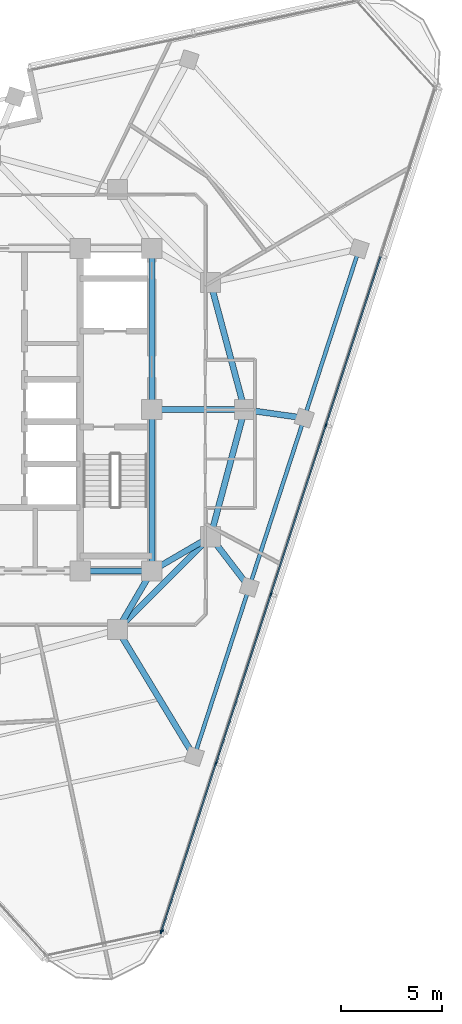
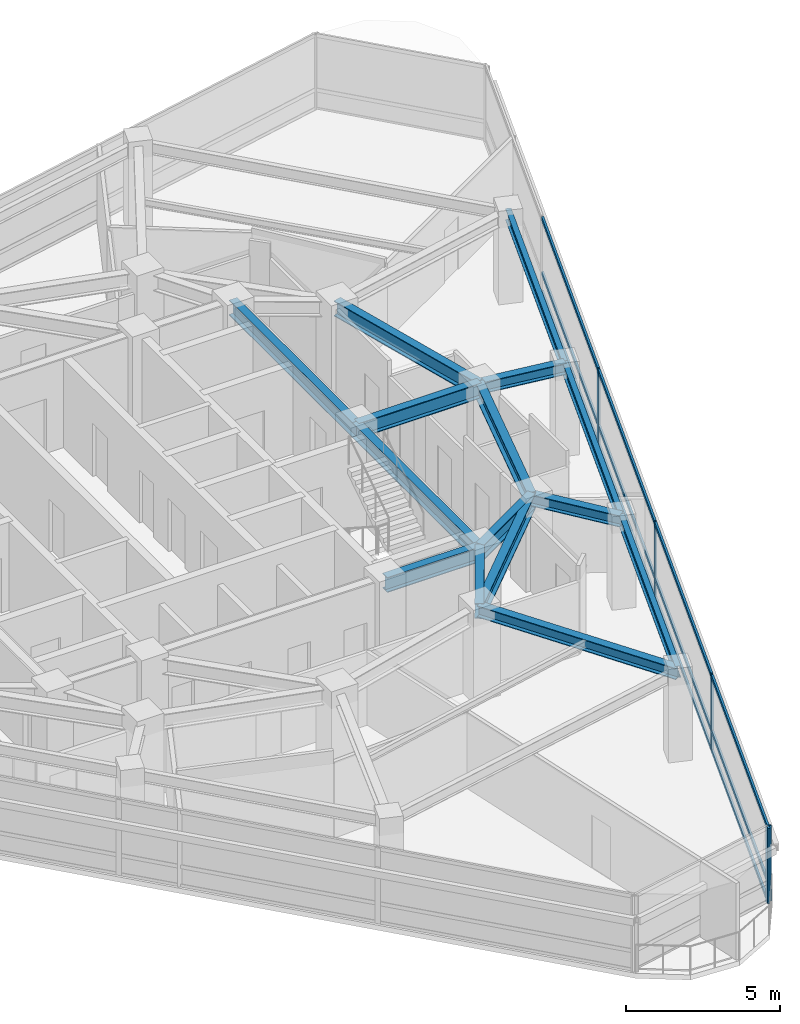
# One storey, part 4 of 15: 17 members, 15 beams, 2 elements without a shape of their own.
"""IFC4 building model written with IfcOpenShell, lengths in metres."""

from ifc_helpers import new_model, si_unit, direction, frame, origin, origin_2d, place, context, subcontext, project, spatial, rectangle, i_section, extrude, material, layer, layer_set, material_profile, profile_set, type_object, element, aggregate, save


model = new_model("IFC4")

# Units and contexts
model_context = context("Model", 3, precision=1e-05, world=origin(), true_north=direction((0.0, 1.0)))
body_context = subcontext(model_context, "Body", "Model", "MODEL_VIEW")
ifc_project = project(units=[si_unit("LENGTHUNIT", "METRE"), si_unit("AREAUNIT", "SQUARE_METRE"), si_unit("VOLUMEUNIT", "CUBIC_METRE"), si_unit("PLANEANGLEUNIT", "RADIAN"), si_unit("MASSUNIT", "GRAM", prefix="KILO")], contexts=[model_context])

# Site, building, storey
site_placement = place(None, origin())
site = spatial("IfcSite", under=ifc_project, at=site_placement, CompositionType="ELEMENT")
building_placement = place(site_placement, origin())
building = spatial("IfcBuilding", under=site, at=building_placement, Name="Terralouvre Media Tower", CompositionType="ELEMENT")
storey_placement = place(building_placement, frame((0.0, 0.0, 305.39990234375)))
storey = spatial("IfcBuildingStorey", under=building, at=storey_placement, Name="L79", CompositionType="ELEMENT", Elevation=305.39990234375)

# Curtain wall, members
ifc_material_1 = material(Name="Low-iron laminated double glazing with solar-control coating", Category="glass")
ifc_layer_1 = layer(ifc_material_1, 0.1650390625, Name="Faceted Glass-Point Crown Curtain Wall CW-06")
ifc_layer_set_1 = layer_set([ifc_layer_1], Name="Low-iron laminated double glazing with solar-control coating")
curtain_wall_type_1 = type_object("IfcCurtainWallType", Name="Faceted Glass-Point Crown Curtain Wall CW-06", PredefinedType="NOTDEFINED", material=ifc_layer_set_1)
curtain_wall_1_placement = place(storey_placement, origin())
curtain_wall_1 = element("IfcCurtainWall", 1, at=curtain_wall_1_placement, inside=storey, type_object=curtain_wall_type_1, Name="L79 Facade Curtain Wall F0", PredefinedType="NOTDEFINED")
ifc_material_2 = material(Name="Anodised extruded aluminium 6063-T6", Category="aluminium")
ifc_material_profile_1 = material_profile(ifc_material_2, rectangle(XDim=0.074951171875, YDim=0.14990234375, at=origin_2d()), Name="ALU 75x150")
ifc_profile_set_1 = profile_set([ifc_material_profile_1], Name="Anodised extruded aluminium 6063-T6")
member_type_1 = type_object("IfcMemberType", Name="Curtain-Wall Horizontal Transom TR-150", PredefinedType="USERDEFINED", material=ifc_profile_set_1)
member_1_placement = place(storey_placement, frame((8.476806640625, -25.87060546875, 0.03759765625), z_axis=(0.309004958377, 0.951060426944, 0.0), x_axis=(-0.951060426944, 0.309004958377, 0.0)))
member_1 = element("IfcMember", 2, at=member_1_placement, type_object=member_type_1, Name="CW-06 transom 1.1", ObjectType="TRANSOM", PredefinedType="USERDEFINED", context=body_context, shape_type="SweptSolid", body=[
    extrude(rectangle(XDim=0.074951171875, YDim=0.14990234375, at=origin_2d()), origin(), (0.0, 0.0, 1.0), 8.71142578125),
])
member_2_placement = place(storey_placement, frame((8.476806640625, -25.87060546875, 0.800048828125), z_axis=(0.309004958377, 0.951060426944, 0.0), x_axis=(-0.951060426944, 0.309004958377, 0.0)))
member_2 = element("IfcMember", 3, at=member_2_placement, type_object=member_type_1, Name="CW-06 transom 1.2", ObjectType="TRANSOM", PredefinedType="USERDEFINED", context=body_context, shape_type="SweptSolid", body=[
    extrude(rectangle(XDim=0.074951171875, YDim=0.14990234375, at=origin_2d()), origin(), (0.0, 0.0, 1.0), 8.71142578125),
])
member_3_placement = place(storey_placement, frame((8.476806640625, -25.87060546875, 2.962646484375), z_axis=(0.309004958377, 0.951060426944, 0.0), x_axis=(-0.951060426944, 0.309004958377, 0.0)))
member_3 = element("IfcMember", 4, at=member_3_placement, type_object=member_type_1, Name="CW-06 transom 1.3", ObjectType="TRANSOM", PredefinedType="USERDEFINED", context=body_context, shape_type="SweptSolid", body=[
    extrude(rectangle(XDim=0.074951171875, YDim=0.14990234375, at=origin_2d()), origin(), (0.0, 0.0, 1.0), 8.71142578125),
])
member_4_placement = place(storey_placement, frame((11.19189453125, -17.51416015625, 0.03759765625), z_axis=(0.309019188079, 0.951055803515, 0.0), x_axis=(-0.951055803515, 0.309019188079, 0.0)))
member_4 = element("IfcMember", 5, at=member_4_placement, type_object=member_type_1, Name="CW-06 transom 2.1", ObjectType="TRANSOM", PredefinedType="USERDEFINED", context=body_context, shape_type="SweptSolid", body=[
    extrude(rectangle(XDim=0.074951171875, YDim=0.14990234375, at=origin_2d()), origin(), (0.0, 0.0, 1.0), 8.7490234375),
])
member_5_placement = place(storey_placement, frame((11.19189453125, -17.51416015625, 0.800048828125), z_axis=(0.309019188079, 0.951055803515, 0.0), x_axis=(-0.951055803515, 0.309019188079, 0.0)))
member_5 = element("IfcMember", 6, at=member_5_placement, type_object=member_type_1, Name="CW-06 transom 2.2", ObjectType="TRANSOM", PredefinedType="USERDEFINED", context=body_context, shape_type="SweptSolid", body=[
    extrude(rectangle(XDim=0.074951171875, YDim=0.14990234375, at=origin_2d()), origin(), (0.0, 0.0, 1.0), 8.7490234375),
])
member_6_placement = place(storey_placement, frame((11.19189453125, -17.51416015625, 2.962646484375), z_axis=(0.309019188079, 0.951055803515, 0.0), x_axis=(-0.951055803515, 0.309019188079, 0.0)))
member_6 = element("IfcMember", 7, at=member_6_placement, type_object=member_type_1, Name="CW-06 transom 2.3", ObjectType="TRANSOM", PredefinedType="USERDEFINED", context=body_context, shape_type="SweptSolid", body=[
    extrude(rectangle(XDim=0.074951171875, YDim=0.14990234375, at=origin_2d()), origin(), (0.0, 0.0, 1.0), 8.7490234375),
])
member_7_placement = place(storey_placement, frame((13.918701171875, -9.1220703125, 0.03759765625), z_axis=(0.309019188079, 0.951055803515, 0.0), x_axis=(-0.951055803515, 0.309019188079, 0.0)))
member_7 = element("IfcMember", 8, at=member_7_placement, type_object=member_type_1, Name="CW-06 transom 3.1", ObjectType="TRANSOM", PredefinedType="USERDEFINED", context=body_context, shape_type="SweptSolid", body=[
    extrude(rectangle(XDim=0.074951171875, YDim=0.14990234375, at=origin_2d()), origin(), (0.0, 0.0, 1.0), 8.7490234375),
])
member_8_placement = place(storey_placement, frame((13.918701171875, -9.1220703125, 0.800048828125), z_axis=(0.309019188079, 0.951055803515, 0.0), x_axis=(-0.951055803515, 0.309019188079, 0.0)))
member_8 = element("IfcMember", 9, at=member_8_placement, type_object=member_type_1, Name="CW-06 transom 3.2", ObjectType="TRANSOM", PredefinedType="USERDEFINED", context=body_context, shape_type="SweptSolid", body=[
    extrude(rectangle(XDim=0.074951171875, YDim=0.14990234375, at=origin_2d()), origin(), (0.0, 0.0, 1.0), 8.7490234375),
])
member_9_placement = place(storey_placement, frame((13.918701171875, -9.1220703125, 2.962646484375), z_axis=(0.309019188079, 0.951055803515, 0.0), x_axis=(-0.951055803515, 0.309019188079, 0.0)))
member_9 = element("IfcMember", 10, at=member_9_placement, type_object=member_type_1, Name="CW-06 transom 3.3", ObjectType="TRANSOM", PredefinedType="USERDEFINED", context=body_context, shape_type="SweptSolid", body=[
    extrude(rectangle(XDim=0.074951171875, YDim=0.14990234375, at=origin_2d()), origin(), (0.0, 0.0, 1.0), 8.7490234375),
])
member_10_placement = place(storey_placement, frame((16.6455078125, -0.72998046875, 0.03759765625), z_axis=(0.309019188079, 0.951055803515, 0.0), x_axis=(-0.951055803515, 0.309019188079, 0.0)))
member_10 = element("IfcMember", 11, at=member_10_placement, type_object=member_type_1, Name="CW-06 transom 4.1", ObjectType="TRANSOM", PredefinedType="USERDEFINED", context=body_context, shape_type="SweptSolid", body=[
    extrude(rectangle(XDim=0.074951171875, YDim=0.14990234375, at=origin_2d()), origin(), (0.0, 0.0, 1.0), 8.7490234375),
])
member_11_placement = place(storey_placement, frame((16.6455078125, -0.72998046875, 0.800048828125), z_axis=(0.309019188079, 0.951055803515, 0.0), x_axis=(-0.951055803515, 0.309019188079, 0.0)))
member_11 = element("IfcMember", 12, at=member_11_placement, type_object=member_type_1, Name="CW-06 transom 4.2", ObjectType="TRANSOM", PredefinedType="USERDEFINED", context=body_context, shape_type="SweptSolid", body=[
    extrude(rectangle(XDim=0.074951171875, YDim=0.14990234375, at=origin_2d()), origin(), (0.0, 0.0, 1.0), 8.7490234375),
])
member_12_placement = place(storey_placement, frame((16.6455078125, -0.72998046875, 2.962646484375), z_axis=(0.309019188079, 0.951055803515, 0.0), x_axis=(-0.951055803515, 0.309019188079, 0.0)))
member_12 = element("IfcMember", 13, at=member_12_placement, type_object=member_type_1, Name="CW-06 transom 4.3", ObjectType="TRANSOM", PredefinedType="USERDEFINED", context=body_context, shape_type="SweptSolid", body=[
    extrude(rectangle(XDim=0.074951171875, YDim=0.14990234375, at=origin_2d()), origin(), (0.0, 0.0, 1.0), 8.7490234375),
])
ifc_material_3 = material(Name="Anodised extruded aluminium 6063-T6", Category="aluminium")
ifc_material_profile_2 = material_profile(ifc_material_3, rectangle(XDim=0.074951171875, YDim=0.179931640625, at=origin_2d()), Name="ALU 75x180")
ifc_profile_set_2 = profile_set([ifc_material_profile_2], Name="Anodised extruded aluminium 6063-T6")
member_type_2 = type_object("IfcMemberType", Name="Curtain-Wall Vertical Mullion ML-180", PredefinedType="MULLION", material=ifc_profile_set_2)
member_13_placement = place(storey_placement, frame((8.465087890625, -25.90625, 0.0), z_axis=(0.0, 0.0, 1.0), x_axis=(-0.951056507337, 0.309017021946, 0.0)))
member_13 = element("IfcMember", 14, at=member_13_placement, type_object=member_type_2, Name="CW-06 mullion 1", PredefinedType="MULLION", context=body_context, shape_type="SweptSolid", body=[
    extrude(rectangle(XDim=0.074951171875, YDim=0.179931640625, at=origin_2d()), origin(), (0.0, 0.0, 1.0), 3.0),
])
member_14_placement = place(storey_placement, frame((11.180419921875, -17.5498046875, 0.0), z_axis=(0.0, 0.0, 1.0), x_axis=(-0.951056507337, 0.309017021946, 0.0)))
member_14 = element("IfcMember", 15, at=member_14_placement, type_object=member_type_2, Name="CW-06 mullion 2", PredefinedType="MULLION", context=body_context, shape_type="SweptSolid", body=[
    extrude(rectangle(XDim=0.074951171875, YDim=0.179931640625, at=origin_2d()), origin(), (0.0, 0.0, 1.0), 3.0),
])
member_15_placement = place(storey_placement, frame((13.9072265625, -9.15771484375, 0.0), z_axis=(0.0, 0.0, 1.0), x_axis=(-0.951056507337, 0.309017021946, 0.0)))
member_15 = element("IfcMember", 16, at=member_15_placement, type_object=member_type_2, Name="CW-06 mullion 3", PredefinedType="MULLION", context=body_context, shape_type="SweptSolid", body=[
    extrude(rectangle(XDim=0.074951171875, YDim=0.179931640625, at=origin_2d()), origin(), (0.0, 0.0, 1.0), 3.0),
])
member_16_placement = place(storey_placement, frame((16.6337890625, -0.765625, 0.0), z_axis=(0.0, 0.0, 1.0), x_axis=(-0.951056507337, 0.309017021946, 0.0)))
member_16 = element("IfcMember", 17, at=member_16_placement, type_object=member_type_2, Name="CW-06 mullion 4", PredefinedType="MULLION", context=body_context, shape_type="SweptSolid", body=[
    extrude(rectangle(XDim=0.074951171875, YDim=0.179931640625, at=origin_2d()), origin(), (0.0, 0.0, 1.0), 3.0),
])
aggregate(curtain_wall_1, [member_13, member_14, member_15, member_16, member_1, member_2, member_3, member_4, member_5, member_6, member_7, member_8, member_9, member_10, member_11, member_12])

# Curtain wall, member
ifc_material_4 = material(Name="Low-iron laminated double glazing with solar-control coating", Category="glass")
ifc_layer_2 = layer(ifc_material_4, 0.1650390625, Name="Rounded Wind-Corner Curved Glazing CW-04")
ifc_layer_set_2 = layer_set([ifc_layer_2], Name="Low-iron laminated double glazing with solar-control coating")
curtain_wall_type_2 = type_object("IfcCurtainWallType", Name="Rounded Wind-Corner Curved Glazing CW-04", PredefinedType="NOTDEFINED", material=ifc_layer_set_2)
curtain_wall_2_placement = place(storey_placement, origin())
curtain_wall_2 = element("IfcCurtainWall", 18, at=curtain_wall_2_placement, inside=storey, type_object=curtain_wall_type_2, Name="L79 Rounded Wind-Corner Curtain Wall C0", PredefinedType="NOTDEFINED")
member_17_placement = place(storey_placement, frame((8.501953125, -25.849853515625, 0.0), z_axis=(0.0, 0.0, 1.0), x_axis=(-0.207911647592, 0.978147609922, 0.0)))
member_17 = element("IfcMember", 19, at=member_17_placement, type_object=member_type_2, Name="CW-04 mullion 2", PredefinedType="MULLION", context=body_context, shape_type="SweptSolid", body=[
    extrude(rectangle(XDim=0.074951171875, YDim=0.179931640625, at=origin_2d()), origin(), (0.0, 0.0, 1.0), 3.0),
])
aggregate(curtain_wall_2, [member_17])

# Beams
ifc_material_5 = material(Name="Structural steel S355J2", Category="steel")
ifc_material_profile_3 = material_profile(ifc_material_5, i_section(OverallWidth=0.18994140625, OverallDepth=0.449951171875, WebThickness=0.009521484375, FlangeThickness=0.0146484375, at=origin_2d()), Name="IPE 450")
ifc_profile_set_3 = profile_set([ifc_material_profile_3], Name="Structural steel S355J2")
beam_type_1 = type_object("IfcBeamType", Name="Perimeter Spandrel Beam SPB-450 (IPE 450)", PredefinedType="SPANDREL", material=ifc_profile_set_3)
for number, where, z_axis, x_axis, name in (
    (20, (10.105712890625, -17.20068359375, 3.275146484375), (0.309022258842, 0.95105480575, 0.0), (-0.95105480575, 0.309022258842, 0.0), "L79 Framing Beam BM-L79-PR05"),
    (21, (12.83251953125, -8.80859375, 3.275146484375), (0.308997232802, 0.951062936992, 0.0), (-0.951062936992, 0.308997232802, 0.0), "L79 Framing Beam BM-L79-PR06"),
):
    element("IfcBeam", number, at=place(storey_placement, frame(where, z_axis=z_axis, x_axis=x_axis)), inside=storey, type_object=beam_type_1, Name=name, PredefinedType="SPANDREL", context=body_context, shape_type="SweptSolid", body=[
        extrude(i_section(OverallWidth=0.18994140625, OverallDepth=0.449951171875, WebThickness=0.009521484375, FlangeThickness=0.0146484375, at=origin_2d()), origin(), (0.0, 0.0, 1.0), 8.823974609375),
    ])
beam_1_placement = place(storey_placement, frame((15.55908203125, -0.41650390625, 3.275146484375), z_axis=(0.309014127542, 0.951057447781, 0.0), x_axis=(-0.951057447781, 0.309014127542, 0.0)))
element("IfcBeam", 22, at=beam_1_placement, inside=storey, type_object=beam_type_1, Name="L79 Framing Beam BM-L79-PR07", PredefinedType="SPANDREL", context=body_context, shape_type="SweptSolid", body=[
    extrude(i_section(OverallWidth=0.18994140625, OverallDepth=0.449951171875, WebThickness=0.009521484375, FlangeThickness=0.0146484375, at=origin_2d()), origin(), (0.0, 0.0, 1.0), 8.82421875),
])
ifc_material_6 = material(Name="Structural steel S355J2", Category="steel")
ifc_material_profile_4 = material_profile(ifc_material_6, i_section(OverallWidth=0.300048828125, OverallDepth=0.449951171875, WebThickness=0.013916015625, FlangeThickness=0.02587890625, at=origin_2d()), Name="HEB 450")
ifc_profile_set_4 = profile_set([ifc_material_profile_4], Name="Structural steel S355J2")
beam_type_2 = type_object("IfcBeamType", Name="Primary Floor Girder B-HEB450 (HEB 450)", PredefinedType="BEAM", material=ifc_profile_set_4)
beam_2_placement = place(storey_placement, frame((6.300048828125, -10.911865234375, 3.275146484375), z_axis=(0.517730392552, -0.855543827415, 0.0), x_axis=(0.855543827415, 0.517730392552, 0.0)))
element("IfcBeam", 23, at=beam_2_placement, inside=storey, type_object=beam_type_2, Name="L79 Framing Beam BM-L79-RD05", PredefinedType="BEAM", context=body_context, shape_type="SweptSolid", body=[
    extrude(i_section(OverallWidth=0.300048828125, OverallDepth=0.449951171875, WebThickness=0.013916015625, FlangeThickness=0.02587890625, at=origin_2d()), origin(), (0.0, 0.0, 1.0), 7.3505859375),
])
beam_3_placement = place(storey_placement, frame((10.911865234375, -6.300048828125, 3.275146484375), z_axis=(0.607920398404, -0.793997978086, 0.0), x_axis=(0.793997978086, 0.607920398404, 0.0)))
element("IfcBeam", 24, at=beam_3_placement, inside=storey, type_object=beam_type_2, Name="L79 Framing Beam BM-L79-RD06", PredefinedType="BEAM", context=body_context, shape_type="SweptSolid", body=[
    extrude(i_section(OverallWidth=0.300048828125, OverallDepth=0.449951171875, WebThickness=0.013916015625, FlangeThickness=0.02587890625, at=origin_2d()), origin(), (0.0, 0.0, 1.0), 3.159423828125),
])
beam_4_placement = place(storey_placement, frame((12.60009765625, 0.0, 3.275146484375), z_axis=(0.990238261961, -0.139385022682, 0.0), x_axis=(0.139385022682, 0.990238261961, 0.0)))
element("IfcBeam", 25, at=beam_4_placement, inside=storey, type_object=beam_type_2, Name="L79 Framing Beam BM-L79-RD07", PredefinedType="BEAM", context=body_context, shape_type="SweptSolid", body=[
    extrude(i_section(OverallWidth=0.300048828125, OverallDepth=0.449951171875, WebThickness=0.013916015625, FlangeThickness=0.02587890625, at=origin_2d()), origin(), (0.0, 0.0, 1.0), 2.988037109375),
])
ifc_material_7 = material(Name="Structural steel S460M", Category="steel")
ifc_material_profile_5 = material_profile(ifc_material_7, i_section(OverallWidth=0.300048828125, OverallDepth=0.60009765625, WebThickness=0.015380859375, FlangeThickness=0.030029296875, at=origin_2d()), Name="HEB 600")
ifc_profile_set_5 = profile_set([ifc_material_profile_5], Name="Structural steel S460M")
beam_type_3 = type_object("IfcBeamType", Name="Primary Floor Girder B-HEB600 (HEB 600)", PredefinedType="BEAM", material=ifc_profile_set_5)
beam_5_placement = place(storey_placement, frame((4.449951171875, -8.0, 3.2001953125), z_axis=(1.0, 0.0, 0.0), x_axis=(0.0, 1.0, 0.0)))
element("IfcBeam", 26, at=beam_5_placement, inside=storey, type_object=beam_type_3, Name="L79 Framing Beam BM-L79-CPR03", PredefinedType="BEAM", context=body_context, shape_type="SweptSolid", body=[
    extrude(i_section(OverallWidth=0.300048828125, OverallDepth=0.60009765625, WebThickness=0.015380859375, FlangeThickness=0.030029296875, at=origin_2d()), origin(), (0.0, 0.0, 1.0), 3.550048828125),
])
for number, where, z_axis, x_axis, name in (
    (27, (8.0, -8.0, 3.2001953125), (0.0, 1.0, 0.0), (-1.0, 0.0, 0.0), "L79 Framing Beam BM-L79-CPR04"),
    (28, (8.0, 0.0, 3.2001953125), (0.0, 1.0, 0.0), (-1.0, 0.0, 0.0), "L79 Framing Beam BM-L79-CPR05"),
):
    element("IfcBeam", number, at=place(storey_placement, frame(where, z_axis=z_axis, x_axis=x_axis)), inside=storey, type_object=beam_type_3, Name=name, PredefinedType="BEAM", context=body_context, shape_type="SweptSolid", body=[
        extrude(i_section(OverallWidth=0.300048828125, OverallDepth=0.60009765625, WebThickness=0.015380859375, FlangeThickness=0.030029296875, at=origin_2d()), origin(), (0.0, 0.0, 1.0), 8.0),
    ])
beam_6_placement = place(storey_placement, frame((6.300048828125, -10.911865234375, 3.2001953125), z_axis=(0.707106781187, 0.707106781187, 0.0), x_axis=(-0.707106781187, 0.707106781187, 0.0)))
element("IfcBeam", 29, at=beam_6_placement, inside=storey, type_object=beam_type_3, Name="L79 Framing Beam BM-L79-MR04", PredefinedType="BEAM", context=body_context, shape_type="SweptSolid", body=[
    extrude(i_section(OverallWidth=0.300048828125, OverallDepth=0.60009765625, WebThickness=0.015380859375, FlangeThickness=0.030029296875, at=origin_2d()), origin(), (0.0, 0.0, 1.0), 6.52197265625),
])
for number, where, z_axis, x_axis, name in (
    (30, (10.911865234375, -6.300048828125, 3.2001953125), (0.258838989821, 0.965920481897, 0.0), (-0.965920481897, 0.258838989821, 0.0), "L79 Framing Beam BM-L79-MR05"),
    (31, (12.60009765625, 0.0, 3.2001953125), (-0.258838989821, 0.965920481897, 0.0), (-0.965920481897, -0.258838989821, 0.0), "L79 Framing Beam BM-L79-MR06"),
):
    element("IfcBeam", number, at=place(storey_placement, frame(where, z_axis=z_axis, x_axis=x_axis)), inside=storey, type_object=beam_type_3, Name=name, PredefinedType="BEAM", context=body_context, shape_type="SweptSolid", body=[
        extrude(i_section(OverallWidth=0.300048828125, OverallDepth=0.60009765625, WebThickness=0.015380859375, FlangeThickness=0.030029296875, at=origin_2d()), origin(), (0.0, 0.0, 1.0), 6.522216796875),
    ])
for number, where, z_axis, x_axis, name in (
    (32, (8.0, -8.0, 3.2001953125), (-0.504172629717, -0.863602894532, 0.0), (0.863602894532, -0.504172629717, 0.0), "L79 Framing Beam BM-L79-CM04"),
    (33, (8.0, -8.0, 3.2001953125), (0.863602894532, 0.504172629717, 0.0), (-0.504172629717, 0.863602894532, 0.0), "L79 Framing Beam BM-L79-CM05"),
):
    element("IfcBeam", number, at=place(storey_placement, frame(where, z_axis=z_axis, x_axis=x_axis)), inside=storey, type_object=beam_type_3, Name=name, PredefinedType="BEAM", context=body_context, shape_type="SweptSolid", body=[
        extrude(i_section(OverallWidth=0.300048828125, OverallDepth=0.60009765625, WebThickness=0.015380859375, FlangeThickness=0.030029296875, at=origin_2d()), origin(), (0.0, 0.0, 1.0), 3.371826171875),
    ])
beam_7_placement = place(storey_placement, frame((8.0, 0.0, 3.2001953125), z_axis=(1.0, 0.0, 0.0), x_axis=(0.0, 1.0, 0.0)))
element("IfcBeam", 34, at=beam_7_placement, inside=storey, type_object=beam_type_3, Name="L79 Framing Beam BM-L79-CM06", PredefinedType="BEAM", context=body_context, shape_type="SweptSolid", body=[
    extrude(i_section(OverallWidth=0.300048828125, OverallDepth=0.60009765625, WebThickness=0.015380859375, FlangeThickness=0.030029296875, at=origin_2d()), origin(), (0.0, 0.0, 1.0), 4.60009765625),
])

save(model, "model.ifc")
